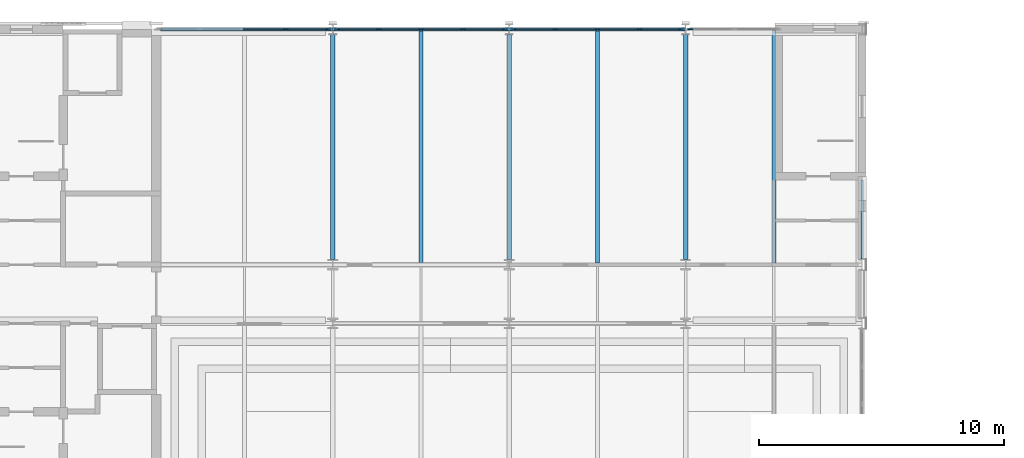
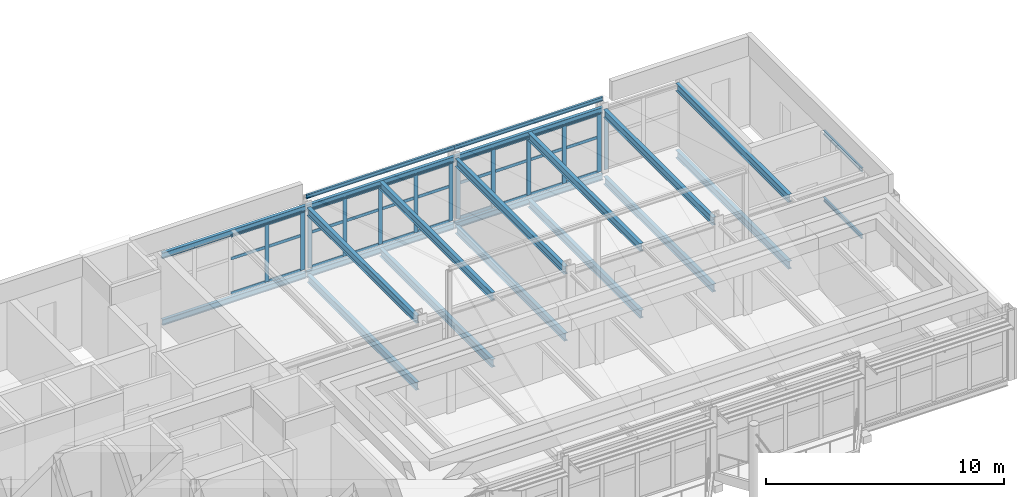
# One storey, part 37 of 68: 43 members, 22 beams, 4 elements without a shape of their own.
"""IFC4 building model written with IfcOpenShell, lengths in metres."""

from ifc_helpers import new_model, si_unit, direction, frame, origin, origin_2d, place, context, subcontext, project, spatial, rectangle, i_section, extrude, material, material_profile, profile_set, type_object, element, aggregate, save


model = new_model("IFC4")

# Units and contexts
model_context = context("Model", 3, precision=1e-05, world=origin(), true_north=direction((0.0, 1.0)))
body_context = subcontext(model_context, "Body", "Model", "MODEL_VIEW")
ifc_project = project(units=[si_unit("LENGTHUNIT", "METRE"), si_unit("AREAUNIT", "SQUARE_METRE"), si_unit("VOLUMEUNIT", "CUBIC_METRE"), si_unit("PLANEANGLEUNIT", "RADIAN"), si_unit("MASSUNIT", "GRAM", prefix="KILO")], contexts=[model_context])

# Site, building, storey
site_placement = place(None, origin())
site = spatial("IfcSite", under=ifc_project, at=site_placement, CompositionType="ELEMENT")
building_placement = place(site_placement, origin())
building = spatial("IfcBuilding", under=site, at=building_placement, Name="Kupolbacken Congress Centre", CompositionType="ELEMENT")
storey_placement = place(building_placement, frame((0.0, 0.0, 25.199951171875)))
storey = spatial("IfcBuildingStorey", under=building, at=storey_placement, Name="L07", CompositionType="ELEMENT", Elevation=25.199951171875)

# Beams
ifc_material_1 = material(Name="Steel S355", Category="steel")
ifc_material_profile_1 = material_profile(ifc_material_1, i_section(OverallWidth=0.10009765625, OverallDepth=0.199951171875, WebThickness=0.005615234375, FlangeThickness=0.008544921875, FilletRadius=0.011962890625, at=origin_2d()), Name="IPE 200")
ifc_profile_set_1 = profile_set([ifc_material_profile_1], Name="Steel S355")
beam_type_1 = type_object("IfcBeamType", Name="B01 beam IPE 200", PredefinedType="BEAM", material=ifc_profile_set_1)
for number, where, z_axis, x_axis, name in (
    (1, (136.800048828125, 134.625, -0.239990234375), (0.0, 1.0, 0.0), (-1.0, 0.0, 0.0), "S/floor/T/L07/S080"),
    (2, (136.800048828125, 134.625, 3.18994140625), (0.0, 1.0, 0.0), (-1.0, 0.0, 0.0), "S/floor/T/ROOF/S080"),
):
    element("IfcBeam", number, at=place(storey_placement, frame(where, z_axis=z_axis, x_axis=x_axis)), inside=storey, type_object=beam_type_1, Name=name, PredefinedType="BEAM", context=body_context, shape_type="SweptSolid", body=[
        extrude(i_section(OverallWidth=0.10009765625, OverallDepth=0.199951171875, WebThickness=0.005615234375, FlangeThickness=0.008544921875, FilletRadius=0.011962890625, at=origin_2d()), origin(), (0.0, 0.0, 1.0), 3.22509765625),
    ])
beam_1_placement = place(storey_placement, frame((115.199951171875, 144.0, 3.699951171875), z_axis=(1.0, 0.0, 0.0), x_axis=(0.0, 1.0, 0.0)))
element("IfcBeam", 3, at=beam_1_placement, inside=storey, type_object=beam_type_1, Name="E/T/roof/R2/high0", PredefinedType="BEAM", context=body_context, shape_type="SweptSolid", body=[
    extrude(i_section(OverallWidth=0.10009765625, OverallDepth=0.199951171875, WebThickness=0.005615234375, FlangeThickness=0.008544921875, FilletRadius=0.011962890625, at=origin_2d()), origin(), (0.0, 0.0, 1.0), 7.199951171875),
])
beam_2_placement = place(storey_placement, frame((122.39990234375, 144.0, 3.699951171875), z_axis=(1.0, 0.0, 0.0), x_axis=(0.0, 1.0, 0.0)))
element("IfcBeam", 4, at=beam_2_placement, inside=storey, type_object=beam_type_1, Name="E/T/roof/R2/high1", PredefinedType="BEAM", context=body_context, shape_type="SweptSolid", body=[
    extrude(i_section(OverallWidth=0.10009765625, OverallDepth=0.199951171875, WebThickness=0.005615234375, FlangeThickness=0.008544921875, FilletRadius=0.011962890625, at=origin_2d()), origin(), (0.0, 0.0, 1.0), 7.2001953125),
])
ifc_material_2 = material(Name="Steel S355", Category="steel")
ifc_material_profile_2 = material_profile(ifc_material_2, i_section(OverallWidth=0.14990234375, OverallDepth=0.300048828125, WebThickness=0.007080078125, FlangeThickness=0.0107421875, FilletRadius=0.014892578125, at=origin_2d()), Name="IPE 300")
ifc_profile_set_2 = profile_set([ifc_material_profile_2], Name="Steel S355")
beam_type_2 = type_object("IfcBeamType", Name="B04 beam IPE 300", PredefinedType="BEAM", material=ifc_profile_set_2)
beam_3_placement = place(storey_placement, frame((108.199951171875, 144.0, -0.2900390625), z_axis=(1.0, 0.0, 0.0), x_axis=(0.0, 1.0, 0.0)))
element("IfcBeam", 5, at=beam_3_placement, inside=storey, type_object=beam_type_2, Name="S/floor/T/L07/R029", PredefinedType="BEAM", context=body_context, shape_type="SweptSolid", body=[
    extrude(i_section(OverallWidth=0.14990234375, OverallDepth=0.300048828125, WebThickness=0.007080078125, FlangeThickness=0.0107421875, FilletRadius=0.014892578125, at=origin_2d()), origin(), (0.0, 0.0, 1.0), 6.989501953125),
])
beam_4_placement = place(storey_placement, frame((115.21044921875, 144.0, -0.2900390625), z_axis=(1.0, 0.0, 0.0), x_axis=(0.0, 1.0, 0.0)))
element("IfcBeam", 6, at=beam_4_placement, inside=storey, type_object=beam_type_2, Name="S/floor/T/L07/R030", PredefinedType="BEAM", context=body_context, shape_type="SweptSolid", body=[
    extrude(i_section(OverallWidth=0.14990234375, OverallDepth=0.300048828125, WebThickness=0.007080078125, FlangeThickness=0.0107421875, FilletRadius=0.014892578125, at=origin_2d()), origin(), (0.0, 0.0, 1.0), 7.178955078125),
])
beam_5_placement = place(storey_placement, frame((122.410400390625, 144.0, -0.2900390625), z_axis=(1.0, 0.0, 0.0), x_axis=(0.0, 1.0, 0.0)))
element("IfcBeam", 7, at=beam_5_placement, inside=storey, type_object=beam_type_2, Name="S/floor/T/L07/R031", PredefinedType="BEAM", context=body_context, shape_type="SweptSolid", body=[
    extrude(i_section(OverallWidth=0.14990234375, OverallDepth=0.300048828125, WebThickness=0.007080078125, FlangeThickness=0.0107421875, FilletRadius=0.014892578125, at=origin_2d()), origin(), (0.0, 0.0, 1.0), 7.17919921875),
])
beam_6_placement = place(storey_placement, frame((108.175048828125, 144.0, 3.14013671875), z_axis=(1.0, 0.0, 0.0), x_axis=(0.0, 1.0, 0.0)))
element("IfcBeam", 8, at=beam_6_placement, inside=storey, type_object=beam_type_2, Name="S/floor/T/ROOF/R029", PredefinedType="BEAM", context=body_context, shape_type="SweptSolid", body=[
    extrude(i_section(OverallWidth=0.14990234375, OverallDepth=0.300048828125, WebThickness=0.007080078125, FlangeThickness=0.0107421875, FilletRadius=0.014892578125, at=origin_2d()), origin(), (0.0, 0.0, 1.0), 7.014404296875),
])
beam_7_placement = place(storey_placement, frame((115.21044921875, 144.0, 3.14013671875), z_axis=(1.0, 0.0, 0.0), x_axis=(0.0, 1.0, 0.0)))
element("IfcBeam", 9, at=beam_7_placement, inside=storey, type_object=beam_type_2, Name="S/floor/T/ROOF/R030", PredefinedType="BEAM", context=body_context, shape_type="SweptSolid", body=[
    extrude(i_section(OverallWidth=0.14990234375, OverallDepth=0.300048828125, WebThickness=0.007080078125, FlangeThickness=0.0107421875, FilletRadius=0.014892578125, at=origin_2d()), origin(), (0.0, 0.0, 1.0), 7.178955078125),
])
beam_8_placement = place(storey_placement, frame((122.410400390625, 144.0, 3.14013671875), z_axis=(1.0, 0.0, 0.0), x_axis=(0.0, 1.0, 0.0)))
element("IfcBeam", 10, at=beam_8_placement, inside=storey, type_object=beam_type_2, Name="S/floor/T/ROOF/R031", PredefinedType="BEAM", context=body_context, shape_type="SweptSolid", body=[
    extrude(i_section(OverallWidth=0.14990234375, OverallDepth=0.300048828125, WebThickness=0.007080078125, FlangeThickness=0.0107421875, FilletRadius=0.014892578125, at=origin_2d()), origin(), (0.0, 0.0, 1.0), 7.17919921875),
])
ifc_material_3 = material(Name="Steel S355", Category="steel")
ifc_material_profile_3 = material_profile(ifc_material_3, i_section(OverallWidth=0.179931640625, OverallDepth=0.39990234375, WebThickness=0.008544921875, FlangeThickness=0.013427734375, FilletRadius=0.02099609375, at=origin_2d()), Name="IPE 400")
ifc_profile_set_3 = profile_set([ifc_material_profile_3], Name="Steel S355")
beam_type_3 = type_object("IfcBeamType", Name="B07 beam IPE 400", PredefinedType="BEAM", material=ifc_profile_set_3)
beam_9_placement = place(storey_placement, frame((115.199951171875, 134.612548828125, -0.33984375), z_axis=(0.0, 1.0, 0.0), x_axis=(-1.0, 0.0, 0.0)))
element("IfcBeam", 11, at=beam_9_placement, inside=storey, type_object=beam_type_3, Name="S/floor/T/L07/S062", PredefinedType="BEAM", context=body_context, shape_type="SweptSolid", body=[
    extrude(i_section(OverallWidth=0.179931640625, OverallDepth=0.39990234375, WebThickness=0.008544921875, FlangeThickness=0.013427734375, FilletRadius=0.02099609375, at=origin_2d()), origin(), (0.0, 0.0, 1.0), 9.17138671875),
])
beam_10_placement = place(storey_placement, frame((118.800048828125, 134.47509765625, -0.33984375), z_axis=(0.0, 1.0, 0.0), x_axis=(-1.0, 0.0, 0.0)))
element("IfcBeam", 12, at=beam_10_placement, inside=storey, type_object=beam_type_3, Name="S/floor/T/L07/S065", PredefinedType="BEAM", context=body_context, shape_type="SweptSolid", body=[
    extrude(i_section(OverallWidth=0.179931640625, OverallDepth=0.39990234375, WebThickness=0.008544921875, FlangeThickness=0.013427734375, FilletRadius=0.02099609375, at=origin_2d()), origin(), (0.0, 0.0, 1.0), 9.449951171875),
])
beam_11_placement = place(storey_placement, frame((122.39990234375, 134.612548828125, -0.33984375), z_axis=(0.0, 1.0, 0.0), x_axis=(-1.0, 0.0, 0.0)))
element("IfcBeam", 13, at=beam_11_placement, inside=storey, type_object=beam_type_3, Name="S/floor/T/L07/S068", PredefinedType="BEAM", context=body_context, shape_type="SweptSolid", body=[
    extrude(i_section(OverallWidth=0.179931640625, OverallDepth=0.39990234375, WebThickness=0.008544921875, FlangeThickness=0.013427734375, FilletRadius=0.02099609375, at=origin_2d()), origin(), (0.0, 0.0, 1.0), 9.17138671875),
])
beam_12_placement = place(storey_placement, frame((126.0, 134.47509765625, -0.33984375), z_axis=(0.0, 1.0, 0.0), x_axis=(-1.0, 0.0, 0.0)))
element("IfcBeam", 14, at=beam_12_placement, inside=storey, type_object=beam_type_3, Name="S/floor/T/L07/S071", PredefinedType="BEAM", context=body_context, shape_type="SweptSolid", body=[
    extrude(i_section(OverallWidth=0.179931640625, OverallDepth=0.39990234375, WebThickness=0.008544921875, FlangeThickness=0.013427734375, FilletRadius=0.02099609375, at=origin_2d()), origin(), (0.0, 0.0, 1.0), 9.449951171875),
])
beam_13_placement = place(storey_placement, frame((129.60009765625, 134.612548828125, -0.33984375), z_axis=(0.0, 1.0, 0.0), x_axis=(-1.0, 0.0, 0.0)))
element("IfcBeam", 15, at=beam_13_placement, inside=storey, type_object=beam_type_3, Name="S/floor/T/L07/S074", PredefinedType="BEAM", context=body_context, shape_type="SweptSolid", body=[
    extrude(i_section(OverallWidth=0.179931640625, OverallDepth=0.39990234375, WebThickness=0.008544921875, FlangeThickness=0.013427734375, FilletRadius=0.02099609375, at=origin_2d()), origin(), (0.0, 0.0, 1.0), 9.17138671875),
])
beam_14_placement = place(storey_placement, frame((133.199951171875, 134.47509765625, -0.33984375), z_axis=(0.0, 1.0, 0.0), x_axis=(-1.0, 0.0, 0.0)))
element("IfcBeam", 16, at=beam_14_placement, inside=storey, type_object=beam_type_3, Name="S/floor/T/L07/S077", PredefinedType="BEAM", context=body_context, shape_type="SweptSolid", body=[
    extrude(i_section(OverallWidth=0.179931640625, OverallDepth=0.39990234375, WebThickness=0.008544921875, FlangeThickness=0.013427734375, FilletRadius=0.02099609375, at=origin_2d()), origin(), (0.0, 0.0, 1.0), 9.474853515625),
])
beam_15_placement = place(storey_placement, frame((115.199951171875, 134.612548828125, 3.090087890625), z_axis=(0.0, 1.0, 0.0), x_axis=(-1.0, 0.0, 0.0)))
element("IfcBeam", 17, at=beam_15_placement, inside=storey, type_object=beam_type_3, Name="S/floor/T/ROOF/S062", PredefinedType="BEAM", context=body_context, shape_type="SweptSolid", body=[
    extrude(i_section(OverallWidth=0.179931640625, OverallDepth=0.39990234375, WebThickness=0.008544921875, FlangeThickness=0.013427734375, FilletRadius=0.02099609375, at=origin_2d()), origin(), (0.0, 0.0, 1.0), 9.17138671875),
])
beam_16_placement = place(storey_placement, frame((118.800048828125, 134.47509765625, 3.090087890625), z_axis=(0.0, 1.0, 0.0), x_axis=(-1.0, 0.0, 0.0)))
element("IfcBeam", 18, at=beam_16_placement, inside=storey, type_object=beam_type_3, Name="S/floor/T/ROOF/S065", PredefinedType="BEAM", context=body_context, shape_type="SweptSolid", body=[
    extrude(i_section(OverallWidth=0.179931640625, OverallDepth=0.39990234375, WebThickness=0.008544921875, FlangeThickness=0.013427734375, FilletRadius=0.02099609375, at=origin_2d()), origin(), (0.0, 0.0, 1.0), 9.449951171875),
])
beam_17_placement = place(storey_placement, frame((122.39990234375, 134.612548828125, 3.090087890625), z_axis=(0.0, 1.0, 0.0), x_axis=(-1.0, 0.0, 0.0)))
element("IfcBeam", 19, at=beam_17_placement, inside=storey, type_object=beam_type_3, Name="S/floor/T/ROOF/S068", PredefinedType="BEAM", context=body_context, shape_type="SweptSolid", body=[
    extrude(i_section(OverallWidth=0.179931640625, OverallDepth=0.39990234375, WebThickness=0.008544921875, FlangeThickness=0.013427734375, FilletRadius=0.02099609375, at=origin_2d()), origin(), (0.0, 0.0, 1.0), 9.17138671875),
])
beam_18_placement = place(storey_placement, frame((126.0, 134.47509765625, 3.090087890625), z_axis=(0.0, 1.0, 0.0), x_axis=(-1.0, 0.0, 0.0)))
element("IfcBeam", 20, at=beam_18_placement, inside=storey, type_object=beam_type_3, Name="S/floor/T/ROOF/S071", PredefinedType="BEAM", context=body_context, shape_type="SweptSolid", body=[
    extrude(i_section(OverallWidth=0.179931640625, OverallDepth=0.39990234375, WebThickness=0.008544921875, FlangeThickness=0.013427734375, FilletRadius=0.02099609375, at=origin_2d()), origin(), (0.0, 0.0, 1.0), 9.449951171875),
])
beam_19_placement = place(storey_placement, frame((129.60009765625, 134.612548828125, 3.090087890625), z_axis=(0.0, 1.0, 0.0), x_axis=(-1.0, 0.0, 0.0)))
element("IfcBeam", 21, at=beam_19_placement, inside=storey, type_object=beam_type_3, Name="S/floor/T/ROOF/S074", PredefinedType="BEAM", context=body_context, shape_type="SweptSolid", body=[
    extrude(i_section(OverallWidth=0.179931640625, OverallDepth=0.39990234375, WebThickness=0.008544921875, FlangeThickness=0.013427734375, FilletRadius=0.02099609375, at=origin_2d()), origin(), (0.0, 0.0, 1.0), 9.17138671875),
])
beam_20_placement = place(storey_placement, frame((133.199951171875, 134.47509765625, 3.090087890625), z_axis=(0.0, 1.0, 0.0), x_axis=(-1.0, 0.0, 0.0)))
element("IfcBeam", 22, at=beam_20_placement, inside=storey, type_object=beam_type_3, Name="S/floor/T/ROOF/S077", PredefinedType="BEAM", context=body_context, shape_type="SweptSolid", body=[
    extrude(i_section(OverallWidth=0.179931640625, OverallDepth=0.39990234375, WebThickness=0.008544921875, FlangeThickness=0.013427734375, FilletRadius=0.02099609375, at=origin_2d()), origin(), (0.0, 0.0, 1.0), 9.474853515625),
])

# Curtain wall, member
ifc_material_4 = material(Name="Aluminium mullion-transom frame with glass", Category="aluminium")
curtain_wall_type = type_object("IfcCurtainWallType", Name="CW1 curtain wall 7200x3600", PredefinedType="NOTDEFINED", material=ifc_material_4)
curtain_wall_1_placement = place(storey_placement, origin())
curtain_wall_1 = element("IfcCurtainWall", 23, at=curtain_wall_1_placement, inside=storey, type_object=curtain_wall_type, Name="E/T/N/L07/103/g0", PredefinedType="NOTDEFINED")
ifc_material_5 = material(Name="Aluminium alloy", Category="aluminium")
ifc_material_profile_4 = material_profile(ifc_material_5, rectangle(XDim=0.050048828125, YDim=0.199951171875, at=origin_2d()), Name="50 x 200")
ifc_profile_set_4 = profile_set([ifc_material_profile_4], Name="Aluminium alloy")
member_type_1 = type_object("IfcMemberType", Name="MU2 mullion 50x200", PredefinedType="MULLION", material=ifc_profile_set_4)
member_1_placement = place(storey_placement, frame((129.778564453125, 144.0, 0.0), z_axis=(0.0, 0.0, 1.0), x_axis=(0.0, -1.0, 0.0)))
member_1 = element("IfcMember", 24, at=member_1_placement, type_object=member_type_1, Name="CW1 mullion 3", PredefinedType="MULLION", context=body_context, shape_type="SweptSolid", body=[
    extrude(rectangle(XDim=0.050048828125, YDim=0.199951171875, at=origin_2d()), origin(), (0.0, 0.0, 1.0), 3.090087890625),
])
aggregate(curtain_wall_1, [member_1])

# Curtain wall, members
curtain_wall_2_placement = place(storey_placement, origin())
curtain_wall_2 = element("IfcCurtainWall", 25, at=curtain_wall_2_placement, inside=storey, type_object=curtain_wall_type, Name="E/T/N/L07/104/g0", PredefinedType="NOTDEFINED")
member_2_placement = place(storey_placement, frame((129.42138671875, 144.0, 0.0), z_axis=(0.0, 0.0, 1.0), x_axis=(0.0, -1.0, 0.0)))
member_2 = element("IfcMember", 26, at=member_2_placement, type_object=member_type_1, Name="CW1 mullion 1", PredefinedType="MULLION", context=body_context, shape_type="SweptSolid", body=[
    extrude(rectangle(XDim=0.050048828125, YDim=0.199951171875, at=origin_2d()), origin(), (0.0, 0.0, 1.0), 2.989990234375),
])
member_3_placement = place(storey_placement, frame((127.72314453125, 144.0, 0.0), z_axis=(0.0, 0.0, 1.0), x_axis=(0.0, -1.0, 0.0)))
member_3 = element("IfcMember", 27, at=member_3_placement, type_object=member_type_1, Name="CW1 mullion 2", PredefinedType="MULLION", context=body_context, shape_type="SweptSolid", body=[
    extrude(rectangle(XDim=0.050048828125, YDim=0.199951171875, at=origin_2d()), origin(), (0.0, 0.0, 1.0), 2.989990234375),
])
member_4_placement = place(storey_placement, frame((126.0, 144.0, 0.0), z_axis=(0.0, 0.0, 1.0), x_axis=(0.0, -1.0, 0.0)))
member_4 = element("IfcMember", 28, at=member_4_placement, type_object=member_type_1, Name="CW1 mullion 3", PredefinedType="MULLION", context=body_context, shape_type="SweptSolid", body=[
    extrude(rectangle(XDim=0.050048828125, YDim=0.199951171875, at=origin_2d()), origin(), (0.0, 0.0, 1.0), 2.989990234375),
])
member_5_placement = place(storey_placement, frame((124.27685546875, 144.0, 0.0), z_axis=(0.0, 0.0, 1.0), x_axis=(0.0, -1.0, 0.0)))
member_5 = element("IfcMember", 29, at=member_5_placement, type_object=member_type_1, Name="CW1 mullion 4", PredefinedType="MULLION", context=body_context, shape_type="SweptSolid", body=[
    extrude(rectangle(XDim=0.050048828125, YDim=0.199951171875, at=origin_2d()), origin(), (0.0, 0.0, 1.0), 2.989990234375),
])
member_6_placement = place(storey_placement, frame((122.57861328125, 144.0, 0.0), z_axis=(0.0, 0.0, 1.0), x_axis=(0.0, -1.0, 0.0)))
member_6 = element("IfcMember", 30, at=member_6_placement, type_object=member_type_1, Name="CW1 mullion 5", PredefinedType="MULLION", context=body_context, shape_type="SweptSolid", body=[
    extrude(rectangle(XDim=0.050048828125, YDim=0.199951171875, at=origin_2d()), origin(), (0.0, 0.0, 1.0), 2.989990234375),
])

curtain_wall_3_placement = place(storey_placement, origin())
curtain_wall_3 = element("IfcCurtainWall", 31, at=curtain_wall_3_placement, inside=storey, type_object=curtain_wall_type, Name="E/T/N/L07/105/g0", PredefinedType="NOTDEFINED")
member_7_placement = place(storey_placement, frame((122.221435546875, 144.0, 0.0), z_axis=(0.0, 0.0, 1.0), x_axis=(0.0, -1.0, 0.0)))
member_7 = element("IfcMember", 32, at=member_7_placement, type_object=member_type_1, Name="CW1 mullion 1", PredefinedType="MULLION", context=body_context, shape_type="SweptSolid", body=[
    extrude(rectangle(XDim=0.050048828125, YDim=0.199951171875, at=origin_2d()), origin(), (0.0, 0.0, 1.0), 2.989990234375),
])
member_8_placement = place(storey_placement, frame((120.523193359375, 144.0, 0.0), z_axis=(0.0, 0.0, 1.0), x_axis=(0.0, -1.0, 0.0)))
member_8 = element("IfcMember", 33, at=member_8_placement, type_object=member_type_1, Name="CW1 mullion 2", PredefinedType="MULLION", context=body_context, shape_type="SweptSolid", body=[
    extrude(rectangle(XDim=0.050048828125, YDim=0.199951171875, at=origin_2d()), origin(), (0.0, 0.0, 1.0), 2.989990234375),
])
member_9_placement = place(storey_placement, frame((118.800048828125, 144.0, 0.0), z_axis=(0.0, 0.0, 1.0), x_axis=(0.0, -1.0, 0.0)))
member_9 = element("IfcMember", 34, at=member_9_placement, type_object=member_type_1, Name="CW1 mullion 3", PredefinedType="MULLION", context=body_context, shape_type="SweptSolid", body=[
    extrude(rectangle(XDim=0.050048828125, YDim=0.199951171875, at=origin_2d()), origin(), (0.0, 0.0, 1.0), 2.989990234375),
])
member_10_placement = place(storey_placement, frame((117.07666015625, 144.0, 0.0), z_axis=(0.0, 0.0, 1.0), x_axis=(0.0, -1.0, 0.0)))
member_10 = element("IfcMember", 35, at=member_10_placement, type_object=member_type_1, Name="CW1 mullion 4", PredefinedType="MULLION", context=body_context, shape_type="SweptSolid", body=[
    extrude(rectangle(XDim=0.050048828125, YDim=0.199951171875, at=origin_2d()), origin(), (0.0, 0.0, 1.0), 2.989990234375),
])
member_11_placement = place(storey_placement, frame((115.37841796875, 144.0, 0.0), z_axis=(0.0, 0.0, 1.0), x_axis=(0.0, -1.0, 0.0)))
member_11 = element("IfcMember", 36, at=member_11_placement, type_object=member_type_1, Name="CW1 mullion 5", PredefinedType="MULLION", context=body_context, shape_type="SweptSolid", body=[
    extrude(rectangle(XDim=0.050048828125, YDim=0.199951171875, at=origin_2d()), origin(), (0.0, 0.0, 1.0), 2.989990234375),
])

curtain_wall_4_placement = place(storey_placement, origin())
curtain_wall_4 = element("IfcCurtainWall", 37, at=curtain_wall_4_placement, inside=storey, type_object=curtain_wall_type, Name="E/T/N/L07/106/g0", PredefinedType="NOTDEFINED")
member_12_placement = place(storey_placement, frame((115.021484375, 144.0, 0.0), z_axis=(0.0, 0.0, 1.0), x_axis=(0.0, -1.0, 0.0)))
member_12 = element("IfcMember", 38, at=member_12_placement, type_object=member_type_1, Name="CW1 mullion 1", PredefinedType="MULLION", context=body_context, shape_type="SweptSolid", body=[
    extrude(rectangle(XDim=0.050048828125, YDim=0.199951171875, at=origin_2d()), origin(), (0.0, 0.0, 1.0), 2.989990234375),
])
member_13_placement = place(storey_placement, frame((113.284912109375, 144.0, 0.0), z_axis=(0.0, 0.0, 1.0), x_axis=(0.0, -1.0, 0.0)))
member_13 = element("IfcMember", 39, at=member_13_placement, type_object=member_type_1, Name="CW1 mullion 2", PredefinedType="MULLION", context=body_context, shape_type="SweptSolid", body=[
    extrude(rectangle(XDim=0.050048828125, YDim=0.199951171875, at=origin_2d()), origin(), (0.0, 0.0, 1.0), 2.989990234375),
])

# Member
ifc_material_6 = material(Name="Aluminium alloy", Category="aluminium")
ifc_material_profile_5 = material_profile(ifc_material_6, rectangle(XDim=0.050048828125, YDim=0.14990234375, at=origin_2d()), Name="50 x 150")
ifc_profile_set_5 = profile_set([ifc_material_profile_5], Name="Aluminium alloy")
member_type_2 = type_object("IfcMemberType", Name="TR2 transom 50x150", PredefinedType="MULLION", material=ifc_profile_set_5)
member_14_placement = place(storey_placement, frame((129.396484375, 144.0, 0.025146484375), z_axis=(-1.0, 0.0, 0.0), x_axis=(0.0, -1.0, 0.0)))
member_14 = element("IfcMember", 40, at=member_14_placement, type_object=member_type_2, Name="CW1 transom 1.1", PredefinedType="MULLION", context=body_context, shape_type="SweptSolid", body=[
    extrude(rectangle(XDim=0.050048828125, YDim=0.14990234375, at=origin_2d()), origin(), (0.0, 0.0, 1.0), 1.648193359375),
])

member_15_placement = place(storey_placement, frame((129.396484375, 144.0, 1.800048828125), z_axis=(-1.0, 0.0, 0.0), x_axis=(0.0, -1.0, 0.0)))
member_15 = element("IfcMember", 41, at=member_15_placement, type_object=member_type_2, Name="CW1 transom 1.2", PredefinedType="MULLION", context=body_context, shape_type="SweptSolid", body=[
    extrude(rectangle(XDim=0.050048828125, YDim=0.14990234375, at=origin_2d()), origin(), (0.0, 0.0, 1.0), 1.648193359375),
])

member_16_placement = place(storey_placement, frame((129.396484375, 144.0, 2.965087890625), z_axis=(-1.0, 0.0, 0.0), x_axis=(0.0, -1.0, 0.0)))
member_16 = element("IfcMember", 42, at=member_16_placement, type_object=member_type_2, Name="CW1 transom 1.3", PredefinedType="MULLION", context=body_context, shape_type="SweptSolid", body=[
    extrude(rectangle(XDim=0.050048828125, YDim=0.14990234375, at=origin_2d()), origin(), (0.0, 0.0, 1.0), 1.648193359375),
])

member_17_placement = place(storey_placement, frame((127.6982421875, 144.0, 0.025146484375), z_axis=(-1.0, 0.0, 0.0), x_axis=(0.0, -1.0, 0.0)))
member_17 = element("IfcMember", 43, at=member_17_placement, type_object=member_type_2, Name="CW1 transom 2.1", PredefinedType="MULLION", context=body_context, shape_type="SweptSolid", body=[
    extrude(rectangle(XDim=0.050048828125, YDim=0.14990234375, at=origin_2d()), origin(), (0.0, 0.0, 1.0), 1.67333984375),
])

member_18_placement = place(storey_placement, frame((127.6982421875, 144.0, 1.800048828125), z_axis=(-1.0, 0.0, 0.0), x_axis=(0.0, -1.0, 0.0)))
member_18 = element("IfcMember", 44, at=member_18_placement, type_object=member_type_2, Name="CW1 transom 2.2", PredefinedType="MULLION", context=body_context, shape_type="SweptSolid", body=[
    extrude(rectangle(XDim=0.050048828125, YDim=0.14990234375, at=origin_2d()), origin(), (0.0, 0.0, 1.0), 1.67333984375),
])

member_19_placement = place(storey_placement, frame((127.6982421875, 144.0, 2.965087890625), z_axis=(-1.0, 0.0, 0.0), x_axis=(0.0, -1.0, 0.0)))
member_19 = element("IfcMember", 45, at=member_19_placement, type_object=member_type_2, Name="CW1 transom 2.3", PredefinedType="MULLION", context=body_context, shape_type="SweptSolid", body=[
    extrude(rectangle(XDim=0.050048828125, YDim=0.14990234375, at=origin_2d()), origin(), (0.0, 0.0, 1.0), 1.67333984375),
])

member_20_placement = place(storey_placement, frame((125.97509765625, 144.0, 0.025146484375), z_axis=(-1.0, 0.0, 0.0), x_axis=(0.0, -1.0, 0.0)))
member_20 = element("IfcMember", 46, at=member_20_placement, type_object=member_type_2, Name="CW1 transom 3.1", PredefinedType="MULLION", context=body_context, shape_type="SweptSolid", body=[
    extrude(rectangle(XDim=0.050048828125, YDim=0.14990234375, at=origin_2d()), origin(), (0.0, 0.0, 1.0), 1.67333984375),
])

member_21_placement = place(storey_placement, frame((125.97509765625, 144.0, 1.800048828125), z_axis=(-1.0, 0.0, 0.0), x_axis=(0.0, -1.0, 0.0)))
member_21 = element("IfcMember", 47, at=member_21_placement, type_object=member_type_2, Name="CW1 transom 3.2", PredefinedType="MULLION", context=body_context, shape_type="SweptSolid", body=[
    extrude(rectangle(XDim=0.050048828125, YDim=0.14990234375, at=origin_2d()), origin(), (0.0, 0.0, 1.0), 1.67333984375),
])

member_22_placement = place(storey_placement, frame((125.97509765625, 144.0, 2.965087890625), z_axis=(-1.0, 0.0, 0.0), x_axis=(0.0, -1.0, 0.0)))
member_22 = element("IfcMember", 48, at=member_22_placement, type_object=member_type_2, Name="CW1 transom 3.3", PredefinedType="MULLION", context=body_context, shape_type="SweptSolid", body=[
    extrude(rectangle(XDim=0.050048828125, YDim=0.14990234375, at=origin_2d()), origin(), (0.0, 0.0, 1.0), 1.67333984375),
])

member_23_placement = place(storey_placement, frame((124.251708984375, 144.0, 0.025146484375), z_axis=(-1.0, 0.0, 0.0), x_axis=(0.0, -1.0, 0.0)))
member_23 = element("IfcMember", 49, at=member_23_placement, type_object=member_type_2, Name="CW1 transom 4.1", PredefinedType="MULLION", context=body_context, shape_type="SweptSolid", body=[
    extrude(rectangle(XDim=0.050048828125, YDim=0.14990234375, at=origin_2d()), origin(), (0.0, 0.0, 1.0), 1.648193359375),
])

member_24_placement = place(storey_placement, frame((124.251708984375, 144.0, 1.800048828125), z_axis=(-1.0, 0.0, 0.0), x_axis=(0.0, -1.0, 0.0)))
member_24 = element("IfcMember", 50, at=member_24_placement, type_object=member_type_2, Name="CW1 transom 4.2", PredefinedType="MULLION", context=body_context, shape_type="SweptSolid", body=[
    extrude(rectangle(XDim=0.050048828125, YDim=0.14990234375, at=origin_2d()), origin(), (0.0, 0.0, 1.0), 1.648193359375),
])

member_25_placement = place(storey_placement, frame((124.251708984375, 144.0, 2.965087890625), z_axis=(-1.0, 0.0, 0.0), x_axis=(0.0, -1.0, 0.0)))
member_25 = element("IfcMember", 51, at=member_25_placement, type_object=member_type_2, Name="CW1 transom 4.3", PredefinedType="MULLION", context=body_context, shape_type="SweptSolid", body=[
    extrude(rectangle(XDim=0.050048828125, YDim=0.14990234375, at=origin_2d()), origin(), (0.0, 0.0, 1.0), 1.648193359375),
])

aggregate(curtain_wall_2, [member_2, member_3, member_4, member_5, member_6, member_14, member_15, member_16, member_17, member_18, member_19, member_20, member_21, member_22, member_23, member_24, member_25])

member_26_placement = place(storey_placement, frame((122.196533203125, 144.0, 0.025146484375), z_axis=(-1.0, 0.0, 0.0), x_axis=(0.0, -1.0, 0.0)))
member_26 = element("IfcMember", 52, at=member_26_placement, type_object=member_type_2, Name="CW1 transom 1.1", PredefinedType="MULLION", context=body_context, shape_type="SweptSolid", body=[
    extrude(rectangle(XDim=0.050048828125, YDim=0.14990234375, at=origin_2d()), origin(), (0.0, 0.0, 1.0), 1.648193359375),
])

member_27_placement = place(storey_placement, frame((122.196533203125, 144.0, 1.800048828125), z_axis=(-1.0, 0.0, 0.0), x_axis=(0.0, -1.0, 0.0)))
member_27 = element("IfcMember", 53, at=member_27_placement, type_object=member_type_2, Name="CW1 transom 1.2", PredefinedType="MULLION", context=body_context, shape_type="SweptSolid", body=[
    extrude(rectangle(XDim=0.050048828125, YDim=0.14990234375, at=origin_2d()), origin(), (0.0, 0.0, 1.0), 1.648193359375),
])

member_28_placement = place(storey_placement, frame((122.196533203125, 144.0, 2.965087890625), z_axis=(-1.0, 0.0, 0.0), x_axis=(0.0, -1.0, 0.0)))
member_28 = element("IfcMember", 54, at=member_28_placement, type_object=member_type_2, Name="CW1 transom 1.3", PredefinedType="MULLION", context=body_context, shape_type="SweptSolid", body=[
    extrude(rectangle(XDim=0.050048828125, YDim=0.14990234375, at=origin_2d()), origin(), (0.0, 0.0, 1.0), 1.648193359375),
])

member_29_placement = place(storey_placement, frame((120.498291015625, 144.0, 0.025146484375), z_axis=(-1.0, 0.0, 0.0), x_axis=(0.0, -1.0, 0.0)))
member_29 = element("IfcMember", 55, at=member_29_placement, type_object=member_type_2, Name="CW1 transom 2.1", PredefinedType="MULLION", context=body_context, shape_type="SweptSolid", body=[
    extrude(rectangle(XDim=0.050048828125, YDim=0.14990234375, at=origin_2d()), origin(), (0.0, 0.0, 1.0), 1.67333984375),
])

member_30_placement = place(storey_placement, frame((120.498291015625, 144.0, 1.800048828125), z_axis=(-1.0, 0.0, 0.0), x_axis=(0.0, -1.0, 0.0)))
member_30 = element("IfcMember", 56, at=member_30_placement, type_object=member_type_2, Name="CW1 transom 2.2", PredefinedType="MULLION", context=body_context, shape_type="SweptSolid", body=[
    extrude(rectangle(XDim=0.050048828125, YDim=0.14990234375, at=origin_2d()), origin(), (0.0, 0.0, 1.0), 1.67333984375),
])

member_31_placement = place(storey_placement, frame((120.498291015625, 144.0, 2.965087890625), z_axis=(-1.0, 0.0, 0.0), x_axis=(0.0, -1.0, 0.0)))
member_31 = element("IfcMember", 57, at=member_31_placement, type_object=member_type_2, Name="CW1 transom 2.3", PredefinedType="MULLION", context=body_context, shape_type="SweptSolid", body=[
    extrude(rectangle(XDim=0.050048828125, YDim=0.14990234375, at=origin_2d()), origin(), (0.0, 0.0, 1.0), 1.67333984375),
])

member_32_placement = place(storey_placement, frame((118.77490234375, 144.0, 0.025146484375), z_axis=(-1.0, 0.0, 0.0), x_axis=(0.0, -1.0, 0.0)))
member_32 = element("IfcMember", 58, at=member_32_placement, type_object=member_type_2, Name="CW1 transom 3.1", PredefinedType="MULLION", context=body_context, shape_type="SweptSolid", body=[
    extrude(rectangle(XDim=0.050048828125, YDim=0.14990234375, at=origin_2d()), origin(), (0.0, 0.0, 1.0), 1.673095703125),
])

member_33_placement = place(storey_placement, frame((118.77490234375, 144.0, 1.800048828125), z_axis=(-1.0, 0.0, 0.0), x_axis=(0.0, -1.0, 0.0)))
member_33 = element("IfcMember", 59, at=member_33_placement, type_object=member_type_2, Name="CW1 transom 3.2", PredefinedType="MULLION", context=body_context, shape_type="SweptSolid", body=[
    extrude(rectangle(XDim=0.050048828125, YDim=0.14990234375, at=origin_2d()), origin(), (0.0, 0.0, 1.0), 1.673095703125),
])

member_34_placement = place(storey_placement, frame((118.77490234375, 144.0, 2.965087890625), z_axis=(-1.0, 0.0, 0.0), x_axis=(0.0, -1.0, 0.0)))
member_34 = element("IfcMember", 60, at=member_34_placement, type_object=member_type_2, Name="CW1 transom 3.3", PredefinedType="MULLION", context=body_context, shape_type="SweptSolid", body=[
    extrude(rectangle(XDim=0.050048828125, YDim=0.14990234375, at=origin_2d()), origin(), (0.0, 0.0, 1.0), 1.673095703125),
])

member_35_placement = place(storey_placement, frame((117.0517578125, 144.0, 0.025146484375), z_axis=(-1.0, 0.0, 0.0), x_axis=(0.0, -1.0, 0.0)))
member_35 = element("IfcMember", 61, at=member_35_placement, type_object=member_type_2, Name="CW1 transom 4.1", PredefinedType="MULLION", context=body_context, shape_type="SweptSolid", body=[
    extrude(rectangle(XDim=0.050048828125, YDim=0.14990234375, at=origin_2d()), origin(), (0.0, 0.0, 1.0), 1.648193359375),
])

member_36_placement = place(storey_placement, frame((117.0517578125, 144.0, 1.800048828125), z_axis=(-1.0, 0.0, 0.0), x_axis=(0.0, -1.0, 0.0)))
member_36 = element("IfcMember", 62, at=member_36_placement, type_object=member_type_2, Name="CW1 transom 4.2", PredefinedType="MULLION", context=body_context, shape_type="SweptSolid", body=[
    extrude(rectangle(XDim=0.050048828125, YDim=0.14990234375, at=origin_2d()), origin(), (0.0, 0.0, 1.0), 1.648193359375),
])

member_37_placement = place(storey_placement, frame((117.0517578125, 144.0, 2.965087890625), z_axis=(-1.0, 0.0, 0.0), x_axis=(0.0, -1.0, 0.0)))
member_37 = element("IfcMember", 63, at=member_37_placement, type_object=member_type_2, Name="CW1 transom 4.3", PredefinedType="MULLION", context=body_context, shape_type="SweptSolid", body=[
    extrude(rectangle(XDim=0.050048828125, YDim=0.14990234375, at=origin_2d()), origin(), (0.0, 0.0, 1.0), 1.648193359375),
])

aggregate(curtain_wall_3, [member_7, member_8, member_9, member_10, member_11, member_26, member_27, member_28, member_29, member_30, member_31, member_32, member_33, member_34, member_35, member_36, member_37])

member_38_placement = place(storey_placement, frame((114.99658203125, 144.0, 0.025146484375), z_axis=(-1.0, 0.0, 0.0), x_axis=(0.0, -1.0, 0.0)))
member_38 = element("IfcMember", 64, at=member_38_placement, type_object=member_type_2, Name="CW1 transom 1.1", PredefinedType="MULLION", context=body_context, shape_type="SweptSolid", body=[
    extrude(rectangle(XDim=0.050048828125, YDim=0.14990234375, at=origin_2d()), origin(), (0.0, 0.0, 1.0), 1.686767578125),
])

member_39_placement = place(storey_placement, frame((114.99658203125, 144.0, 1.800048828125), z_axis=(-1.0, 0.0, 0.0), x_axis=(0.0, -1.0, 0.0)))
member_39 = element("IfcMember", 65, at=member_39_placement, type_object=member_type_2, Name="CW1 transom 1.2", PredefinedType="MULLION", context=body_context, shape_type="SweptSolid", body=[
    extrude(rectangle(XDim=0.050048828125, YDim=0.14990234375, at=origin_2d()), origin(), (0.0, 0.0, 1.0), 1.686767578125),
])

member_40_placement = place(storey_placement, frame((114.99658203125, 144.0, 2.965087890625), z_axis=(-1.0, 0.0, 0.0), x_axis=(0.0, -1.0, 0.0)))
member_40 = element("IfcMember", 66, at=member_40_placement, type_object=member_type_2, Name="CW1 transom 1.3", PredefinedType="MULLION", context=body_context, shape_type="SweptSolid", body=[
    extrude(rectangle(XDim=0.050048828125, YDim=0.14990234375, at=origin_2d()), origin(), (0.0, 0.0, 1.0), 1.686767578125),
])

member_41_placement = place(storey_placement, frame((113.259765625, 144.0, 0.025146484375), z_axis=(-1.0, 0.0, 0.0), x_axis=(0.0, -1.0, 0.0)))
member_41 = element("IfcMember", 67, at=member_41_placement, type_object=member_type_2, Name="CW1 transom 2.1", PredefinedType="MULLION", context=body_context, shape_type="SweptSolid", body=[
    extrude(rectangle(XDim=0.050048828125, YDim=0.14990234375, at=origin_2d()), origin(), (0.0, 0.0, 1.0), 1.71142578125),
])

member_42_placement = place(storey_placement, frame((113.259765625, 144.0, 1.800048828125), z_axis=(-1.0, 0.0, 0.0), x_axis=(0.0, -1.0, 0.0)))
member_42 = element("IfcMember", 68, at=member_42_placement, type_object=member_type_2, Name="CW1 transom 2.2", PredefinedType="MULLION", context=body_context, shape_type="SweptSolid", body=[
    extrude(rectangle(XDim=0.050048828125, YDim=0.14990234375, at=origin_2d()), origin(), (0.0, 0.0, 1.0), 1.71142578125),
])

member_43_placement = place(storey_placement, frame((113.259765625, 144.0, 2.965087890625), z_axis=(-1.0, 0.0, 0.0), x_axis=(0.0, -1.0, 0.0)))
member_43 = element("IfcMember", 69, at=member_43_placement, type_object=member_type_2, Name="CW1 transom 2.3", PredefinedType="MULLION", context=body_context, shape_type="SweptSolid", body=[
    extrude(rectangle(XDim=0.050048828125, YDim=0.14990234375, at=origin_2d()), origin(), (0.0, 0.0, 1.0), 1.71142578125),
])

aggregate(curtain_wall_4, [member_12, member_13, member_38, member_39, member_40, member_41, member_42, member_43])

save(model, "model.ifc")
